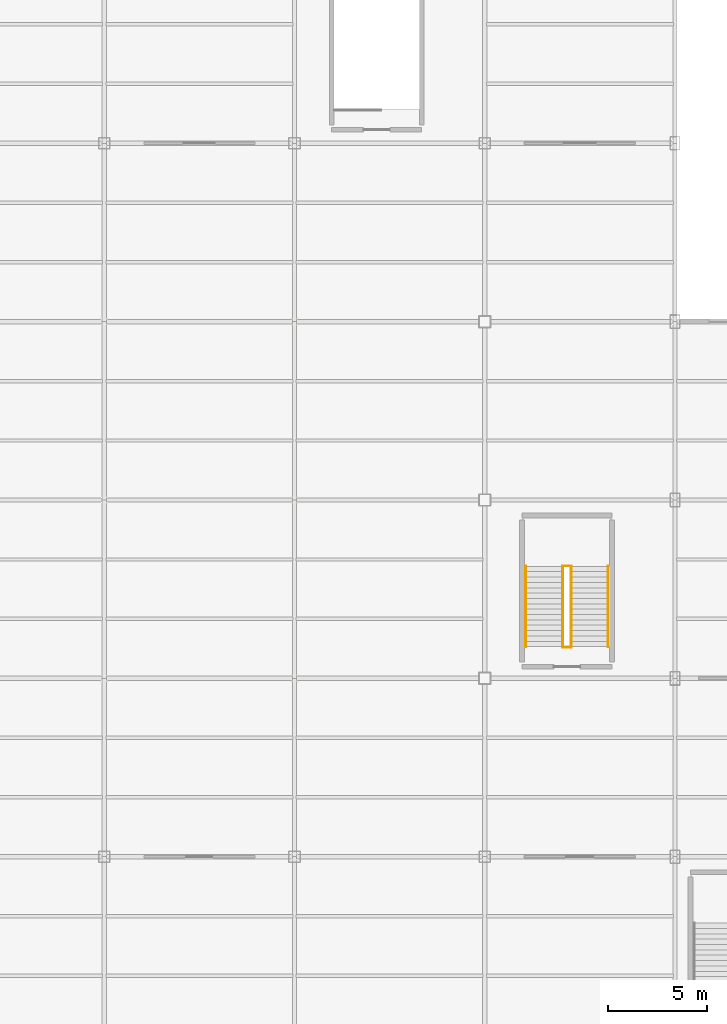
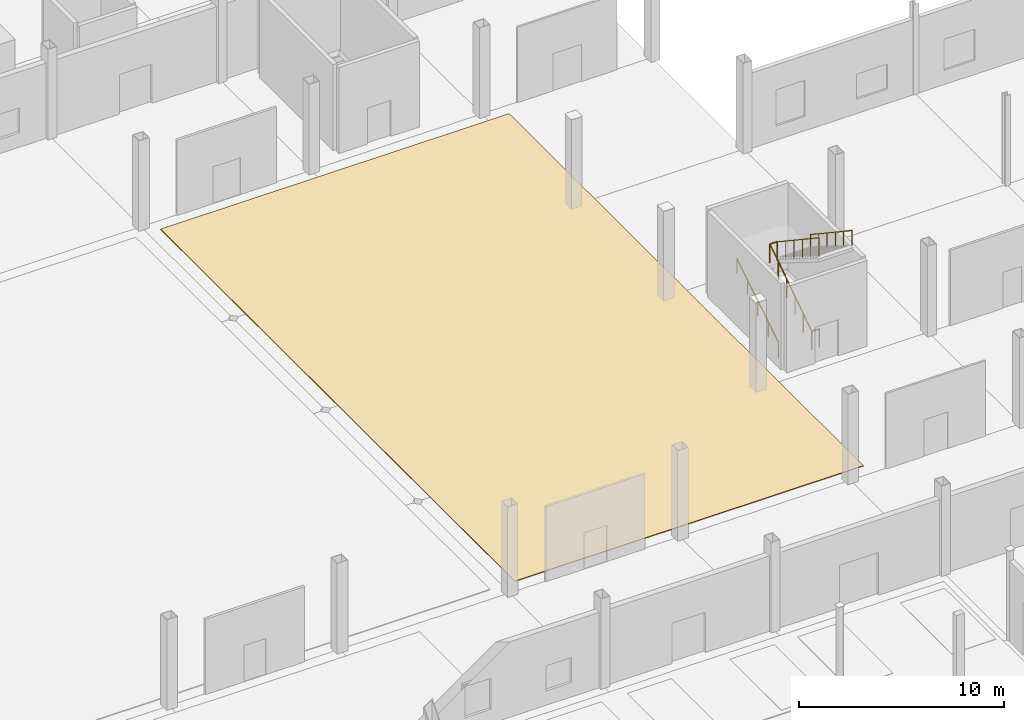
# One storey, part 80 of 85: 6 railings, 1 covering.
"""IFC4 building model written with IfcOpenShell, lengths in metres."""

from ifc_helpers import new_model, si_unit, direction, frame, origin, origin_2d, place, context, subcontext, project, spatial, polyline, circle, outline, extrude, material, layer, layer_set, type_object, element, save


model = new_model("IFC4")

# Units and contexts
model_context = context("Model", 3, precision=1e-05, world=origin(), true_north=direction((0.0, 1.0)))
body_context = subcontext(model_context, "Body", "Model", "MODEL_VIEW")
ifc_project = project(units=[si_unit("LENGTHUNIT", "METRE"), si_unit("AREAUNIT", "SQUARE_METRE"), si_unit("VOLUMEUNIT", "CUBIC_METRE"), si_unit("PLANEANGLEUNIT", "RADIAN"), si_unit("MASSUNIT", "GRAM", prefix="KILO")], contexts=[model_context])

# Site, building, storey
site_placement = place(None, origin())
site = spatial("IfcSite", under=ifc_project, at=site_placement, CompositionType="ELEMENT")
building_placement = place(site_placement, origin())
building = spatial("IfcBuilding", under=site, at=building_placement, Name="Zarnetskaya Central Station", CompositionType="ELEMENT")
storey_placement = place(building_placement, origin())
storey = spatial("IfcBuildingStorey", under=building, at=storey_placement, Name="L00", CompositionType="ELEMENT", Elevation=0.0)

# Covering
ifc_material_1 = material(Name="Granite stone flooring", Category="masonry")
ifc_layer = layer(ifc_material_1, 0.0400390625, Name="Granite stone flooring", Category="masonry")
ifc_layer_set = layer_set([ifc_layer], Name="Granite stone flooring")
covering_type = type_object("IfcCoveringType", Name="COV-GRAN-FLR", PredefinedType="FLOORING", material=ifc_layer_set)
covering_placement = place(storey_placement, origin())
element("IfcCovering", 1, at=covering_placement, inside=storey, type_object=covering_type, Name="Granite terrazzo floor finish L00-202", PredefinedType="FLOORING", context=body_context, shape_type="SweptSolid", body=[
    extrude(outline(polyline([(96.699951171875, 22.89990234375), (116.35009765625, 22.89990234375), (116.35009765625, 57.5), (96.699951171875, 57.5), (96.699951171875, 22.89990234375)])), origin(), (0.0, 0.0, 1.0), 0.0400390625),
])

# Railings
ifc_material_2 = material(Name="Steel S355", Category="steel")
railing_type_1 = type_object("IfcRailingType", Name="RAIL-HAND-900", PredefinedType="HANDRAIL", material=ifc_material_2)
railing_1_placement = place(storey_placement, frame((117.280029296875, 32.800048828125, 0.168701171875)))
element("IfcRailing", 2, at=railing_1_placement, inside=storey, type_object=railing_type_1, Name="Stair ST-E1 L00 flight 1 handrail", PredefinedType="HANDRAIL", context=body_context, shape_type="SweptSolid", body=[
    extrude(circle(Radius=0.02392578125, at=origin_2d()), frame((0.0, 0.0, 0.8759765625), z_axis=(0.0, 0.848001175806, 0.529994345094), x_axis=(-1.0, 0.0, 0.0)), (0.0, 0.0, 1.0), 4.77587890625),
    extrude(circle(Radius=0.02099609375, at=origin_2d()), origin(), (0.0, 0.0, 1.0), 0.851806640625),
    extrude(circle(Radius=0.02099609375, at=origin_2d()), frame((0.0, 1.012451171875, 0.6328125)), (0.0, 0.0, 1.0), 0.851806640625),
    extrude(circle(Radius=0.02099609375, at=origin_2d()), frame((0.0, 2.02490234375, 1.265625)), (0.0, 0.0, 1.0), 0.851806640625),
    extrude(circle(Radius=0.02099609375, at=origin_2d()), frame((0.0, 3.03759765625, 1.8984375)), (0.0, 0.0, 1.0), 0.851806640625),
    extrude(circle(Radius=0.02099609375, at=origin_2d()), frame((0.0, 4.050048828125, 2.53125)), (0.0, 0.0, 1.0), 0.851806640625),
])
railing_2_placement = place(storey_placement, frame((121.419921875, 36.85009765625, 2.699951171875)))
element("IfcRailing", 3, at=railing_2_placement, inside=storey, type_object=railing_type_1, Name="Stair ST-E1 L00 flight 2 handrail", PredefinedType="HANDRAIL", context=body_context, shape_type="SweptSolid", body=[
    extrude(circle(Radius=0.02392578125, at=origin_2d()), frame((0.0, 0.0, 0.8759765625), z_axis=(0.0, -0.832058010752, 0.55468862143), x_axis=(1.0, 0.0, 0.0)), (0.0, 0.0, 1.0), 4.867431640625),
    extrude(circle(Radius=0.02099609375, at=origin_2d()), origin(), (0.0, 0.0, 1.0), 0.851806640625),
    extrude(circle(Radius=0.02099609375, at=origin_2d()), frame((0.0, -0.81005859375, 0.5400390625)), (0.0, 0.0, 1.0), 0.851806640625),
    extrude(circle(Radius=0.02099609375, at=origin_2d()), frame((0.0, -1.6201171875, 1.080078125)), (0.0, 0.0, 1.0), 0.851806640625),
    extrude(circle(Radius=0.02099609375, at=origin_2d()), frame((0.0, -2.429931640625, 1.619873046875)), (0.0, 0.0, 1.0), 0.851806640625),
    extrude(circle(Radius=0.02099609375, at=origin_2d()), frame((0.0, -3.239990234375, 2.159912109375)), (0.0, 0.0, 1.0), 0.851806640625),
    extrude(circle(Radius=0.02099609375, at=origin_2d()), frame((0.0, -4.050048828125, 2.699951171875)), (0.0, 0.0, 1.0), 0.851806640625),
])
railing_type_2 = type_object("IfcRailingType", Name="RAIL-STAIR-GRD", PredefinedType="BALUSTRADE", material=ifc_material_2)
railing_3_placement = place(storey_placement, frame((119.139892578125, 32.760009765625, 0.0)))
element("IfcRailing", 4, at=railing_3_placement, inside=storey, type_object=railing_type_2, Name="Stair ST-E1 L00 floor well guard", PredefinedType="BALUSTRADE", context=body_context, shape_type="SweptSolid", body=[
    extrude(circle(Radius=0.02392578125, at=origin_2d()), frame((0.0, 0.0, 1.09619140625), z_axis=(1.0, 0.0, 0.0), x_axis=(0.0, 1.0, 0.0)), (0.0, 0.0, 1.0), 0.420166015625),
    extrude(circle(Radius=0.02099609375, at=origin_2d()), origin(), (0.0, 0.0, 1.0), 1.072021484375),
    extrude(circle(Radius=0.02099609375, at=origin_2d()), frame((0.420166015625, 0.0, 0.0)), (0.0, 0.0, 1.0), 1.072021484375),
])
railing_4_placement = place(storey_placement, frame((119.139892578125, 32.800048828125, 0.0)))
element("IfcRailing", 5, at=railing_4_placement, inside=storey, type_object=railing_type_2, Name="Stair ST-E1 L00 flight 1 well guard", PredefinedType="BALUSTRADE", context=body_context, shape_type="SweptSolid", body=[
    extrude(circle(Radius=0.02392578125, at=origin_2d()), frame((0.0, 0.0, 1.09619140625), z_axis=(0.0, 0.832058010752, 0.55468862143), x_axis=(-1.0, 0.0, 0.0)), (0.0, 0.0, 1.0), 4.867431640625),
    extrude(circle(Radius=0.02099609375, at=origin_2d()), origin(), (0.0, 0.0, 1.0), 1.072021484375),
    extrude(circle(Radius=0.02099609375, at=origin_2d()), frame((0.0, 0.81005859375, 0.5400390625)), (0.0, 0.0, 1.0), 1.072021484375),
    extrude(circle(Radius=0.02099609375, at=origin_2d()), frame((0.0, 1.6201171875, 1.080078125)), (0.0, 0.0, 1.0), 1.072021484375),
    extrude(circle(Radius=0.02099609375, at=origin_2d()), frame((0.0, 2.429931640625, 1.619873046875)), (0.0, 0.0, 1.0), 1.072021484375),
    extrude(circle(Radius=0.02099609375, at=origin_2d()), frame((0.0, 3.239990234375, 2.159912109375)), (0.0, 0.0, 1.0), 1.072021484375),
    extrude(circle(Radius=0.02099609375, at=origin_2d()), frame((0.0, 4.050048828125, 2.699951171875)), (0.0, 0.0, 1.0), 1.072021484375),
])
railing_5_placement = place(storey_placement, frame((119.139892578125, 36.8701171875, 2.699951171875)))
element("IfcRailing", 6, at=railing_5_placement, inside=storey, type_object=railing_type_2, Name="Stair ST-E1 L00 half-landing well guard", PredefinedType="BALUSTRADE", context=body_context, shape_type="SweptSolid", body=[
    extrude(circle(Radius=0.02392578125, at=origin_2d()), frame((0.0, 0.0, 1.09619140625), z_axis=(1.0, 0.0, 0.0), x_axis=(0.0, 1.0, 0.0)), (0.0, 0.0, 1.0), 0.420166015625),
    extrude(circle(Radius=0.02099609375, at=origin_2d()), origin(), (0.0, 0.0, 1.0), 1.072021484375),
    extrude(circle(Radius=0.02099609375, at=origin_2d()), frame((0.420166015625, 0.0, 0.0)), (0.0, 0.0, 1.0), 1.072021484375),
])
railing_6_placement = place(storey_placement, frame((119.56005859375, 36.85009765625, 2.699951171875)))
element("IfcRailing", 7, at=railing_6_placement, inside=storey, type_object=railing_type_2, Name="Stair ST-E1 L00 flight 2 well guard", PredefinedType="BALUSTRADE", context=body_context, shape_type="SweptSolid", body=[
    extrude(circle(Radius=0.02392578125, at=origin_2d()), frame((0.0, 0.0, 1.09619140625), z_axis=(0.0, -0.832058010752, 0.55468862143), x_axis=(1.0, 0.0, 0.0)), (0.0, 0.0, 1.0), 4.867431640625),
    extrude(circle(Radius=0.02099609375, at=origin_2d()), origin(), (0.0, 0.0, 1.0), 1.072021484375),
    extrude(circle(Radius=0.02099609375, at=origin_2d()), frame((0.0, -0.81005859375, 0.5400390625)), (0.0, 0.0, 1.0), 1.072021484375),
    extrude(circle(Radius=0.02099609375, at=origin_2d()), frame((0.0, -1.6201171875, 1.080078125)), (0.0, 0.0, 1.0), 1.072021484375),
    extrude(circle(Radius=0.02099609375, at=origin_2d()), frame((0.0, -2.429931640625, 1.619873046875)), (0.0, 0.0, 1.0), 1.072021484375),
    extrude(circle(Radius=0.02099609375, at=origin_2d()), frame((0.0, -3.239990234375, 2.159912109375)), (0.0, 0.0, 1.0), 1.072021484375),
    extrude(circle(Radius=0.02099609375, at=origin_2d()), frame((0.0, -4.050048828125, 2.699951171875)), (0.0, 0.0, 1.0), 1.072021484375),
])

save(model, "model.ifc")
